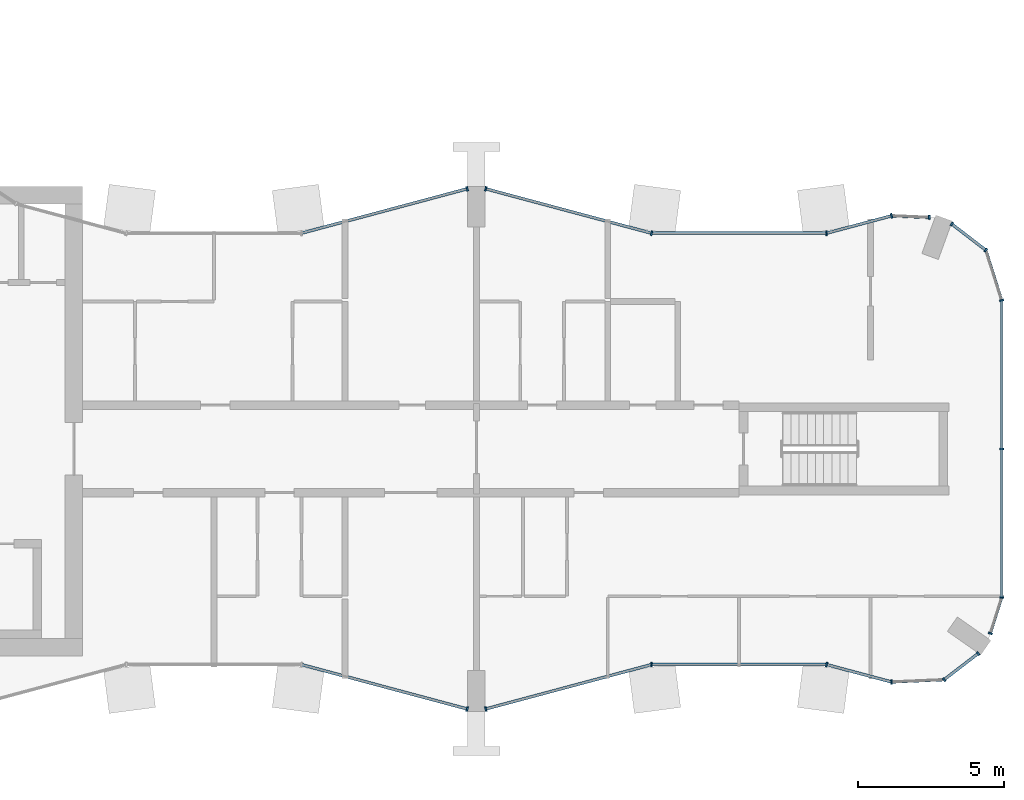
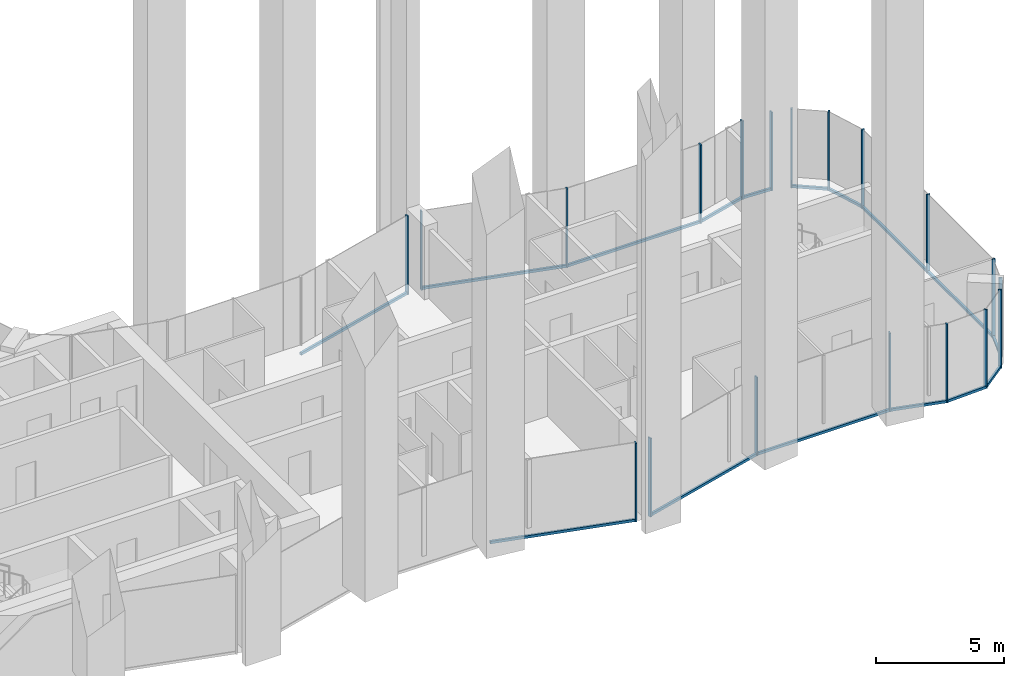
# One storey, part 6 of 18: 34 members, 15 elements without a shape of their own.
"""IFC4 building model written with IfcOpenShell, lengths in metres."""

from ifc_helpers import new_model, si_unit, direction, frame, origin, origin_2d, place, context, subcontext, project, spatial, rectangle, extrude, material, layer, layer_set, material_profile, profile_set, type_object, element, aggregate, save


model = new_model("IFC4")

# Units and contexts
model_context = context("Model", 3, precision=1e-05, world=origin(), true_north=direction((0.0, 1.0)))
body_context = subcontext(model_context, "Body", "Model", "MODEL_VIEW")
ifc_project = project(units=[si_unit("LENGTHUNIT", "METRE"), si_unit("AREAUNIT", "SQUARE_METRE"), si_unit("VOLUMEUNIT", "CUBIC_METRE"), si_unit("PLANEANGLEUNIT", "RADIAN"), si_unit("MASSUNIT", "GRAM", prefix="KILO")], contexts=[model_context])

# Site, building, storey
site_placement = place(None, origin())
site = spatial("IfcSite", under=ifc_project, at=site_placement, CompositionType="ELEMENT")
building_placement = place(site_placement, origin())
building = spatial("IfcBuilding", under=site, at=building_placement, Name="Plateau Cross Towers", CompositionType="ELEMENT")
storey_placement = place(building_placement, frame((0.0, 0.0, 139.39990234375)))
storey = spatial("IfcBuildingStorey", under=building, at=storey_placement, Name="L35", CompositionType="ELEMENT", Elevation=139.39990234375)

# Curtain wall, member
ifc_material_1 = material(Name="Dark low-iron glass", Category="glass")
ifc_layer_1 = layer(ifc_material_1, 0.239990234375)
ifc_layer_set_1 = layer_set([ifc_layer_1], Name="Dark low-iron glass")
curtain_wall_type_1 = type_object("IfcCurtainWallType", Name="Curtain wall flush unitised CW-B", PredefinedType="NOTDEFINED", material=ifc_layer_set_1)
curtain_wall_1_placement = place(storey_placement, origin())
curtain_wall_1 = element("IfcCurtainWall", 1, at=curtain_wall_1_placement, inside=storey, type_object=curtain_wall_type_1, Name="ENV/A/L35/A502_10", PredefinedType="NOTDEFINED")
ifc_material_2 = material(Name="Black anodised aluminium", Category="aluminium")
ifc_material_profile_1 = material_profile(ifc_material_2, rectangle(XDim=0.06005859375, YDim=0.139892578125, at=origin_2d()), Name="MULLION 60x140")
ifc_profile_set_1 = profile_set([ifc_material_profile_1], Name="Black anodised aluminium")
member_type_1 = type_object("IfcMemberType", Name="Mullion 60x140 flush unitised", PredefinedType="MULLION", material=ifc_profile_set_1)
member_1_placement = place(storey_placement, frame((50.223876953125, 1.01123046875, -0.5), z_axis=(0.0, 0.0, 1.0), x_axis=(0.999043701491, 0.043722791671, 0.0)))
member_1 = element("IfcMember", 2, at=member_1_placement, type_object=member_type_1, Name="CW-B mullion 1", PredefinedType="MULLION", context=body_context, shape_type="SweptSolid", body=[
    extrude(rectangle(XDim=0.06005859375, YDim=0.139892578125, at=origin_2d()), origin(), (0.0, 0.0, 1.0), 3.75),
])

# Curtain wall, members
curtain_wall_2_placement = place(storey_placement, origin())
curtain_wall_2 = element("IfcCurtainWall", 3, at=curtain_wall_2_placement, inside=storey, type_object=curtain_wall_type_1, Name="ENV/A/L35/A520_11", PredefinedType="NOTDEFINED")
member_2_placement = place(storey_placement, frame((52.0263671875, 1.090087890625, -0.5), z_axis=(0.0, 0.0, 1.0), x_axis=(0.793315514529, 0.608810721331, 0.0)))
member_2 = element("IfcMember", 4, at=member_2_placement, type_object=member_type_1, Name="CW-B mullion 1", PredefinedType="MULLION", context=body_context, shape_type="SweptSolid", body=[
    extrude(rectangle(XDim=0.06005859375, YDim=0.139892578125, at=origin_2d()), origin(), (0.0, 0.0, 1.0), 3.75),
])
member_3_placement = place(storey_placement, frame((53.193603515625, 1.986083984375, -0.5), z_axis=(0.0, 0.0, 1.0), x_axis=(0.793315514529, 0.608810721331, 0.0)))
member_3 = element("IfcMember", 5, at=member_3_placement, type_object=member_type_1, Name="CW-B mullion 2", PredefinedType="MULLION", context=body_context, shape_type="SweptSolid", body=[
    extrude(rectangle(XDim=0.06005859375, YDim=0.139892578125, at=origin_2d()), origin(), (0.0, 0.0, 1.0), 3.75),
])

# Curtain wall, member
curtain_wall_3_placement = place(storey_placement, origin())
curtain_wall_3 = element("IfcCurtainWall", 6, at=curtain_wall_3_placement, inside=storey, type_object=curtain_wall_type_1, Name="ENV/A/L35/A536_27", PredefinedType="NOTDEFINED")
member_4_placement = place(storey_placement, frame((53.611083984375, 2.67529296875, -0.5), z_axis=(0.0, 0.0, 1.0), x_axis=(0.300686174994, 0.95372313811, 0.0)))
member_4 = element("IfcMember", 7, at=member_4_placement, type_object=member_type_1, Name="CW-B mullion 1", PredefinedType="MULLION", context=body_context, shape_type="SweptSolid", body=[
    extrude(rectangle(XDim=0.06005859375, YDim=0.139892578125, at=origin_2d()), origin(), (0.0, 0.0, 1.0), 3.75),
])

# Curtain wall, members
curtain_wall_4_placement = place(storey_placement, origin())
curtain_wall_4 = element("IfcCurtainWall", 8, at=curtain_wall_4_placement, inside=storey, type_object=curtain_wall_type_1, Name="ENV/A/L35/A540_39", PredefinedType="NOTDEFINED")
member_5_placement = place(storey_placement, frame((54.0, 3.9091796875, -0.5), z_axis=(0.0, 0.0, 1.0), x_axis=(0.0, 1.0, 0.0)))
member_5 = element("IfcMember", 9, at=member_5_placement, type_object=member_type_1, Name="CW-B mullion 1", PredefinedType="MULLION", context=body_context, shape_type="SweptSolid", body=[
    extrude(rectangle(XDim=0.06005859375, YDim=0.139892578125, at=origin_2d()), origin(), (0.0, 0.0, 1.0), 3.75),
])
member_6_placement = place(storey_placement, frame((54.0, 9.0, -0.5), z_axis=(0.0, 0.0, 1.0), x_axis=(0.0, 1.0, 0.0)))
member_6 = element("IfcMember", 10, at=member_6_placement, type_object=member_type_1, Name="CW-B mullion 2", PredefinedType="MULLION", context=body_context, shape_type="SweptSolid", body=[
    extrude(rectangle(XDim=0.06005859375, YDim=0.139892578125, at=origin_2d()), origin(), (0.0, 0.0, 1.0), 3.75),
])

# Curtain wall, member
curtain_wall_5_placement = place(storey_placement, origin())
curtain_wall_5 = element("IfcCurtainWall", 11, at=curtain_wall_5_placement, inside=storey, type_object=curtain_wall_type_1, Name="ENV/A/L35/A540_141", PredefinedType="NOTDEFINED")
member_7_placement = place(storey_placement, frame((54.0, 14.0908203125, -0.5), z_axis=(0.0, 0.0, 1.0), x_axis=(-0.300686174994, 0.95372313811, 0.0)))
member_7 = element("IfcMember", 12, at=member_7_placement, type_object=member_type_1, Name="CW-B mullion 1", PredefinedType="MULLION", context=body_context, shape_type="SweptSolid", body=[
    extrude(rectangle(XDim=0.06005859375, YDim=0.139892578125, at=origin_2d()), origin(), (0.0, 0.0, 1.0), 3.75),
])

# Curtain wall, members
curtain_wall_6_placement = place(storey_placement, origin())
curtain_wall_6 = element("IfcCurtainWall", 13, at=curtain_wall_6_placement, inside=storey, type_object=curtain_wall_type_1, Name="ENV/A/L35/A535_158", PredefinedType="NOTDEFINED")
member_8_placement = place(storey_placement, frame((53.45751953125, 15.8115234375, -0.5), z_axis=(0.0, 0.0, 1.0), x_axis=(-0.793315514529, 0.608810721331, 0.0)))
member_8 = element("IfcMember", 14, at=member_8_placement, type_object=member_type_1, Name="CW-B mullion 1", PredefinedType="MULLION", context=body_context, shape_type="SweptSolid", body=[
    extrude(rectangle(XDim=0.06005859375, YDim=0.139892578125, at=origin_2d()), origin(), (0.0, 0.0, 1.0), 3.75),
])
member_9_placement = place(storey_placement, frame((52.290283203125, 16.707275390625, -0.5), z_axis=(0.0, 0.0, 1.0), x_axis=(-0.793315514529, 0.608810721331, 0.0)))
member_9 = element("IfcMember", 15, at=member_9_placement, type_object=member_type_1, Name="CW-B mullion 2", PredefinedType="MULLION", context=body_context, shape_type="SweptSolid", body=[
    extrude(rectangle(XDim=0.06005859375, YDim=0.139892578125, at=origin_2d()), origin(), (0.0, 0.0, 1.0), 3.75),
])

# Curtain wall, member
curtain_wall_7_placement = place(storey_placement, origin())
curtain_wall_7 = element("IfcCurtainWall", 16, at=curtain_wall_7_placement, inside=storey, type_object=curtain_wall_type_1, Name="ENV/A/L35/A515_169", PredefinedType="NOTDEFINED")
member_10_placement = place(storey_placement, frame((51.516357421875, 16.93212890625, -0.5), z_axis=(0.0, 0.0, 1.0), x_axis=(-0.999043701491, 0.043722791671, 0.0)))
member_10 = element("IfcMember", 17, at=member_10_placement, type_object=member_type_1, Name="CW-B mullion 1", PredefinedType="MULLION", context=body_context, shape_type="SweptSolid", body=[
    extrude(rectangle(XDim=0.06005859375, YDim=0.139892578125, at=origin_2d()), origin(), (0.0, 0.0, 1.0), 3.75),
])

ifc_layer_2 = layer(ifc_material_1, 0.260009765625)
ifc_layer_set_2 = layer_set([ifc_layer_2], Name="Dark low-iron glass")
curtain_wall_type_2 = type_object("IfcCurtainWallType", Name="Curtain wall fluted unitised CW-A", PredefinedType="NOTDEFINED", material=ifc_layer_set_2)
curtain_wall_8_placement = place(storey_placement, origin())
curtain_wall_8 = element("IfcCurtainWall", 18, at=curtain_wall_8_placement, inside=storey, type_object=curtain_wall_type_2, Name="ENV/A/L35/A300_16", PredefinedType="NOTDEFINED")
ifc_material_profile_2 = material_profile(ifc_material_2, rectangle(XDim=0.06005859375, YDim=0.159912109375, at=origin_2d()), Name="MULLION 60x160")
ifc_profile_set_2 = profile_set([ifc_material_profile_2], Name="Black anodised aluminium")
member_type_2 = type_object("IfcMemberType", Name="Mullion 60x160 fluted unitised", PredefinedType="MULLION", material=ifc_profile_set_2)
member_11_placement = place(storey_placement, frame((35.68212890625, 0.085205078125, -0.5), z_axis=(0.0, 0.0, 1.0), x_axis=(0.965957983404, -0.258699003279, 0.0)))
member_11 = element("IfcMember", 19, at=member_11_placement, type_object=member_type_2, Name="CW-A mullion 2", PredefinedType="MULLION", context=body_context, shape_type="SweptSolid", body=[
    extrude(rectangle(XDim=0.06005859375, YDim=0.159912109375, at=origin_2d()), origin(), (0.0, 0.0, 1.0), 3.75),
])

curtain_wall_9_placement = place(storey_placement, origin())
curtain_wall_9 = element("IfcCurtainWall", 20, at=curtain_wall_9_placement, inside=storey, type_object=curtain_wall_type_2, Name="ENV/A/L35/A363_1", PredefinedType="NOTDEFINED")
member_12_placement = place(storey_placement, frame((36.31787109375, 0.085205078125, -0.5), z_axis=(0.0, 0.0, 1.0), x_axis=(0.965957983404, 0.258699003279, 0.0)))
member_12 = element("IfcMember", 21, at=member_12_placement, type_object=member_type_2, Name="CW-A mullion 1", PredefinedType="MULLION", context=body_context, shape_type="SweptSolid", body=[
    extrude(rectangle(XDim=0.06005859375, YDim=0.159912109375, at=origin_2d()), origin(), (0.0, 0.0, 1.0), 3.75),
])

curtain_wall_10_placement = place(storey_placement, origin())
curtain_wall_10 = element("IfcCurtainWall", 22, at=curtain_wall_10_placement, inside=storey, type_object=curtain_wall_type_2, Name="ENV/A/L35/A420_16", PredefinedType="NOTDEFINED")
member_13_placement = place(storey_placement, frame((42.0, 1.60693359375, -0.5), z_axis=(0.0, 0.0, 1.0), x_axis=(1.0, 0.0, 0.0)))
member_13 = element("IfcMember", 23, at=member_13_placement, type_object=member_type_2, Name="CW-A mullion 1", PredefinedType="MULLION", context=body_context, shape_type="SweptSolid", body=[
    extrude(rectangle(XDim=0.06005859375, YDim=0.159912109375, at=origin_2d()), origin(), (0.0, 0.0, 1.0), 3.75),
])

curtain_wall_11_placement = place(storey_placement, origin())
curtain_wall_11 = element("IfcCurtainWall", 24, at=curtain_wall_11_placement, inside=storey, type_object=curtain_wall_type_2, Name="ENV/A/L35/A480_16", PredefinedType="NOTDEFINED")
member_14_placement = place(storey_placement, frame((48.0, 1.60693359375, -0.5), z_axis=(0.0, 0.0, 1.0), x_axis=(0.965957962328, -0.258699081978, 0.0)))
member_14 = element("IfcMember", 25, at=member_14_placement, type_object=member_type_2, Name="CW-A mullion 1", PredefinedType="MULLION", context=body_context, shape_type="SweptSolid", body=[
    extrude(rectangle(XDim=0.06005859375, YDim=0.159912109375, at=origin_2d()), origin(), (0.0, 0.0, 1.0), 3.75),
])

curtain_wall_12_placement = place(storey_placement, origin())
curtain_wall_12 = element("IfcCurtainWall", 26, at=curtain_wall_12_placement, inside=storey, type_object=curtain_wall_type_2, Name="ENV/A/L35/A502_170", PredefinedType="NOTDEFINED")
member_15_placement = place(storey_placement, frame((50.223876953125, 16.98876953125, -0.5), z_axis=(0.0, 0.0, 1.0), x_axis=(-0.965957962328, -0.258699081978, 0.0)))
member_15 = element("IfcMember", 27, at=member_15_placement, type_object=member_type_2, Name="CW-A mullion 1", PredefinedType="MULLION", context=body_context, shape_type="SweptSolid", body=[
    extrude(rectangle(XDim=0.06005859375, YDim=0.159912109375, at=origin_2d()), origin(), (0.0, 0.0, 1.0), 3.75),
])

curtain_wall_13_placement = place(storey_placement, origin())
curtain_wall_13 = element("IfcCurtainWall", 28, at=curtain_wall_13_placement, inside=storey, type_object=curtain_wall_type_2, Name="ENV/A/L35/A480_164", PredefinedType="NOTDEFINED")
member_16_placement = place(storey_placement, frame((48.0, 16.39306640625, -0.5), z_axis=(0.0, 0.0, 1.0), x_axis=(-1.0, 0.0, 0.0)))
member_16 = element("IfcMember", 29, at=member_16_placement, type_object=member_type_2, Name="CW-A mullion 1", PredefinedType="MULLION", context=body_context, shape_type="SweptSolid", body=[
    extrude(rectangle(XDim=0.06005859375, YDim=0.159912109375, at=origin_2d()), origin(), (0.0, 0.0, 1.0), 3.75),
])

# Curtain wall, members
curtain_wall_14_placement = place(storey_placement, origin())
curtain_wall_14 = element("IfcCurtainWall", 30, at=curtain_wall_14_placement, inside=storey, type_object=curtain_wall_type_2, Name="ENV/A/L35/A420_164", PredefinedType="NOTDEFINED")
member_17_placement = place(storey_placement, frame((42.0, 16.39306640625, -0.5), z_axis=(0.0, 0.0, 1.0), x_axis=(-0.965957983404, 0.258699003279, 0.0)))
member_17 = element("IfcMember", 31, at=member_17_placement, type_object=member_type_2, Name="CW-A mullion 1", PredefinedType="MULLION", context=body_context, shape_type="SweptSolid", body=[
    extrude(rectangle(XDim=0.06005859375, YDim=0.159912109375, at=origin_2d()), origin(), (0.0, 0.0, 1.0), 3.75),
])
member_18_placement = place(storey_placement, frame((36.31787109375, 17.914794921875, -0.5), z_axis=(0.0, 0.0, 1.0), x_axis=(-0.965957983404, 0.258699003279, 0.0)))
member_18 = element("IfcMember", 32, at=member_18_placement, type_object=member_type_2, Name="CW-A mullion 2", PredefinedType="MULLION", context=body_context, shape_type="SweptSolid", body=[
    extrude(rectangle(XDim=0.06005859375, YDim=0.159912109375, at=origin_2d()), origin(), (0.0, 0.0, 1.0), 3.75),
])

# Curtain wall, member
curtain_wall_15_placement = place(storey_placement, origin())
curtain_wall_15 = element("IfcCurtainWall", 33, at=curtain_wall_15_placement, inside=storey, type_object=curtain_wall_type_2, Name="ENV/A/L35/A357_179", PredefinedType="NOTDEFINED")
member_19_placement = place(storey_placement, frame((35.68212890625, 17.914794921875, -0.5), z_axis=(0.0, 0.0, 1.0), x_axis=(-0.965957983404, -0.258699003279, 0.0)))
member_19 = element("IfcMember", 34, at=member_19_placement, type_object=member_type_2, Name="CW-A mullion 1", PredefinedType="MULLION", context=body_context, shape_type="SweptSolid", body=[
    extrude(rectangle(XDim=0.06005859375, YDim=0.159912109375, at=origin_2d()), origin(), (0.0, 0.0, 1.0), 3.75),
])

# Member
ifc_material_profile_3 = material_profile(ifc_material_2, rectangle(XDim=0.10009765625, YDim=0.1201171875, at=origin_2d()), Name="TRANSOM 100x120")
ifc_profile_set_3 = profile_set([ifc_material_profile_3], Name="Black anodised aluminium")
member_type_3 = type_object("IfcMemberType", Name="Transom 100x120 flush unitised", PredefinedType="USERDEFINED", material=ifc_profile_set_3)
member_20_placement = place(storey_placement, frame((50.223876953125, 1.01123046875, -0.43994140625), z_axis=(0.999044377355, 0.043707345779, 0.0), x_axis=(-0.043707345779, 0.999044377355, 0.0)))
member_20 = element("IfcMember", 35, at=member_20_placement, type_object=member_type_3, Name="CW-B transom", ObjectType="TRANSOM", PredefinedType="USERDEFINED", context=body_context, shape_type="SweptSolid", body=[
    extrude(rectangle(XDim=0.10009765625, YDim=0.1201171875, at=origin_2d()), origin(), (0.0, 0.0, 1.0), 1.80419921875),
])

aggregate(curtain_wall_1, [member_1, member_20])

member_21_placement = place(storey_placement, frame((52.0263671875, 1.090087890625, -0.43994140625), z_axis=(0.793240368515, 0.608908628415, 0.0), x_axis=(-0.608908628415, 0.793240368515, 0.0)))
member_21 = element("IfcMember", 36, at=member_21_placement, type_object=member_type_3, Name="CW-B transom", ObjectType="TRANSOM", PredefinedType="USERDEFINED", context=body_context, shape_type="SweptSolid", body=[
    extrude(rectangle(XDim=0.10009765625, YDim=0.1201171875, at=origin_2d()), origin(), (0.0, 0.0, 1.0), 1.471435546875),
])

aggregate(curtain_wall_2, [member_2, member_3, member_21])

member_22_placement = place(storey_placement, frame((53.611083984375, 2.67529296875, -0.43994140625), z_axis=(0.300616528216, 0.953745093284, 0.0), x_axis=(-0.953745093284, 0.300616528216, 0.0)))
member_22 = element("IfcMember", 37, at=member_22_placement, type_object=member_type_3, Name="CW-B transom", ObjectType="TRANSOM", PredefinedType="USERDEFINED", context=body_context, shape_type="SweptSolid", body=[
    extrude(rectangle(XDim=0.10009765625, YDim=0.1201171875, at=origin_2d()), origin(), (0.0, 0.0, 1.0), 1.293701171875),
])

aggregate(curtain_wall_3, [member_4, member_22])

member_23_placement = place(storey_placement, frame((54.0, 3.9091796875, -0.43994140625), z_axis=(0.0, 1.0, 0.0), x_axis=(-1.0, 0.0, 0.0)))
member_23 = element("IfcMember", 38, at=member_23_placement, type_object=member_type_3, Name="CW-B transom", ObjectType="TRANSOM", PredefinedType="USERDEFINED", context=body_context, shape_type="SweptSolid", body=[
    extrude(rectangle(XDim=0.10009765625, YDim=0.1201171875, at=origin_2d()), origin(), (0.0, 0.0, 1.0), 10.181640625),
])

aggregate(curtain_wall_4, [member_5, member_6, member_23])

member_24_placement = place(storey_placement, frame((54.0, 14.0908203125, -0.43994140625), z_axis=(-0.30067799945, 0.953725715626, 0.0), x_axis=(-0.953725715626, -0.30067799945, 0.0)))
member_24 = element("IfcMember", 39, at=member_24_placement, type_object=member_type_3, Name="CW-B transom", ObjectType="TRANSOM", PredefinedType="USERDEFINED", context=body_context, shape_type="SweptSolid", body=[
    extrude(rectangle(XDim=0.10009765625, YDim=0.1201171875, at=origin_2d()), origin(), (0.0, 0.0, 1.0), 1.80419921875),
])

aggregate(curtain_wall_5, [member_7, member_24])

member_25_placement = place(storey_placement, frame((53.45751953125, 15.8115234375, -0.43994140625), z_axis=(-0.793320508571, 0.608804213751, 0.0), x_axis=(-0.608804213751, -0.793320508571, 0.0)))
member_25 = element("IfcMember", 40, at=member_25_placement, type_object=member_type_3, Name="CW-B transom", ObjectType="TRANSOM", PredefinedType="USERDEFINED", context=body_context, shape_type="SweptSolid", body=[
    extrude(rectangle(XDim=0.10009765625, YDim=0.1201171875, at=origin_2d()), origin(), (0.0, 0.0, 1.0), 1.471435546875),
])

aggregate(curtain_wall_6, [member_8, member_9, member_25])

member_26_placement = place(storey_placement, frame((51.516357421875, 16.93212890625, -0.43994140625), z_axis=(-0.999041144614, 0.043781175963, 0.0), x_axis=(-0.043781175963, -0.999041144614, 0.0)))
member_26 = element("IfcMember", 41, at=member_26_placement, type_object=member_type_3, Name="CW-B transom", ObjectType="TRANSOM", PredefinedType="USERDEFINED", context=body_context, shape_type="SweptSolid", body=[
    extrude(rectangle(XDim=0.10009765625, YDim=0.1201171875, at=origin_2d()), origin(), (0.0, 0.0, 1.0), 1.293701171875),
])

aggregate(curtain_wall_7, [member_10, member_26])

ifc_material_profile_4 = material_profile(ifc_material_2, rectangle(XDim=0.10009765625, YDim=0.1201171875, at=origin_2d()), Name="TRANSOM 100x120")
ifc_profile_set_4 = profile_set([ifc_material_profile_4], Name="Black anodised aluminium")
member_type_4 = type_object("IfcMemberType", Name="Transom 100x120 fluted unitised", PredefinedType="USERDEFINED", material=ifc_profile_set_4)
member_27_placement = place(storey_placement, frame((30.0, 1.60693359375, -0.43994140625), z_axis=(0.965959534794, -0.258693210465, 0.0), x_axis=(0.258693210465, 0.965959534794, 0.0)))
member_27 = element("IfcMember", 42, at=member_27_placement, type_object=member_type_4, Name="CW-A transom", ObjectType="TRANSOM", PredefinedType="USERDEFINED", context=body_context, shape_type="SweptSolid", body=[
    extrude(rectangle(XDim=0.10009765625, YDim=0.1201171875, at=origin_2d()), origin(), (0.0, 0.0, 1.0), 5.88232421875),
])

aggregate(curtain_wall_8, [member_11, member_27])

member_28_placement = place(storey_placement, frame((36.31787109375, 0.085205078125, -0.43994140625), z_axis=(0.965959534794, 0.258693210465, 0.0), x_axis=(-0.258693210465, 0.965959534794, 0.0)))
member_28 = element("IfcMember", 43, at=member_28_placement, type_object=member_type_4, Name="CW-A transom", ObjectType="TRANSOM", PredefinedType="USERDEFINED", context=body_context, shape_type="SweptSolid", body=[
    extrude(rectangle(XDim=0.10009765625, YDim=0.1201171875, at=origin_2d()), origin(), (0.0, 0.0, 1.0), 5.88232421875),
])

aggregate(curtain_wall_9, [member_12, member_28])

member_29_placement = place(storey_placement, frame((42.0, 1.60693359375, -0.43994140625), z_axis=(1.0, 0.0, 0.0), x_axis=(0.0, 1.0, 0.0)))
member_29 = element("IfcMember", 44, at=member_29_placement, type_object=member_type_4, Name="CW-A transom", ObjectType="TRANSOM", PredefinedType="USERDEFINED", context=body_context, shape_type="SweptSolid", body=[
    extrude(rectangle(XDim=0.10009765625, YDim=0.1201171875, at=origin_2d()), origin(), (0.0, 0.0, 1.0), 6.0),
])

aggregate(curtain_wall_10, [member_13, member_29])

member_30_placement = place(storey_placement, frame((48.0, 1.60693359375, -0.43994140625), z_axis=(0.965945685136, -0.258744919501, 0.0), x_axis=(0.258744919501, 0.965945685136, 0.0)))
member_30 = element("IfcMember", 45, at=member_30_placement, type_object=member_type_4, Name="CW-A transom", ObjectType="TRANSOM", PredefinedType="USERDEFINED", context=body_context, shape_type="SweptSolid", body=[
    extrude(rectangle(XDim=0.10009765625, YDim=0.1201171875, at=origin_2d()), origin(), (0.0, 0.0, 1.0), 2.30224609375),
])

aggregate(curtain_wall_11, [member_14, member_30])

member_31_placement = place(storey_placement, frame((50.223876953125, 16.98876953125, -0.43994140625), z_axis=(-0.965945685136, -0.258744919501, 0.0), x_axis=(0.258744919501, -0.965945685136, 0.0)))
member_31 = element("IfcMember", 46, at=member_31_placement, type_object=member_type_4, Name="CW-A transom", ObjectType="TRANSOM", PredefinedType="USERDEFINED", context=body_context, shape_type="SweptSolid", body=[
    extrude(rectangle(XDim=0.10009765625, YDim=0.1201171875, at=origin_2d()), origin(), (0.0, 0.0, 1.0), 2.30224609375),
])

aggregate(curtain_wall_12, [member_15, member_31])

member_32_placement = place(storey_placement, frame((48.0, 16.39306640625, -0.43994140625), z_axis=(-1.0, 0.0, 0.0), x_axis=(0.0, -1.0, 0.0)))
member_32 = element("IfcMember", 47, at=member_32_placement, type_object=member_type_4, Name="CW-A transom", ObjectType="TRANSOM", PredefinedType="USERDEFINED", context=body_context, shape_type="SweptSolid", body=[
    extrude(rectangle(XDim=0.10009765625, YDim=0.1201171875, at=origin_2d()), origin(), (0.0, 0.0, 1.0), 6.0),
])

aggregate(curtain_wall_13, [member_16, member_32])

member_33_placement = place(storey_placement, frame((42.0, 16.39306640625, -0.43994140625), z_axis=(-0.965959534794, 0.258693210465, 0.0), x_axis=(-0.258693210465, -0.965959534794, 0.0)))
member_33 = element("IfcMember", 48, at=member_33_placement, type_object=member_type_4, Name="CW-A transom", ObjectType="TRANSOM", PredefinedType="USERDEFINED", context=body_context, shape_type="SweptSolid", body=[
    extrude(rectangle(XDim=0.10009765625, YDim=0.1201171875, at=origin_2d()), origin(), (0.0, 0.0, 1.0), 5.88232421875),
])

aggregate(curtain_wall_14, [member_17, member_18, member_33])

member_34_placement = place(storey_placement, frame((35.68212890625, 17.914794921875, -0.43994140625), z_axis=(-0.965959534794, -0.258693210465, 0.0), x_axis=(0.258693210465, -0.965959534794, 0.0)))
member_34 = element("IfcMember", 49, at=member_34_placement, type_object=member_type_4, Name="CW-A transom", ObjectType="TRANSOM", PredefinedType="USERDEFINED", context=body_context, shape_type="SweptSolid", body=[
    extrude(rectangle(XDim=0.10009765625, YDim=0.1201171875, at=origin_2d()), origin(), (0.0, 0.0, 1.0), 5.88232421875),
])

aggregate(curtain_wall_15, [member_19, member_34])

save(model, "model.ifc")
